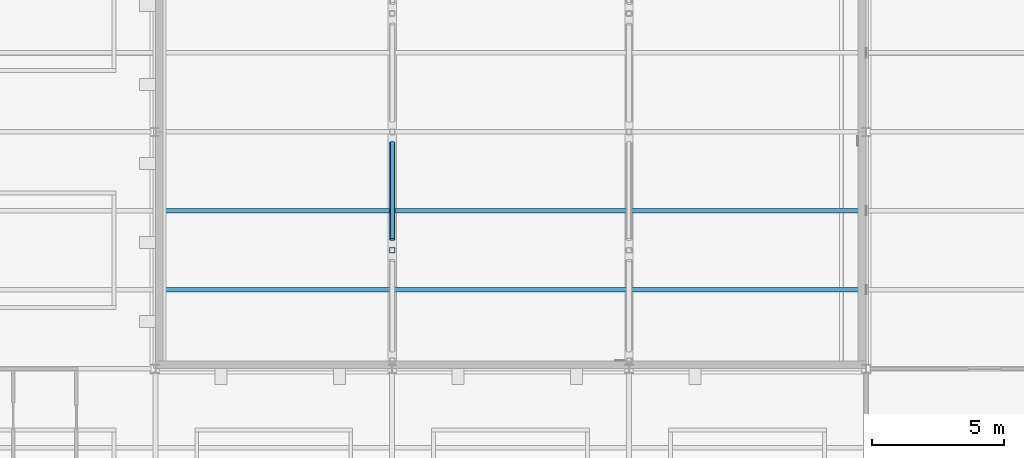
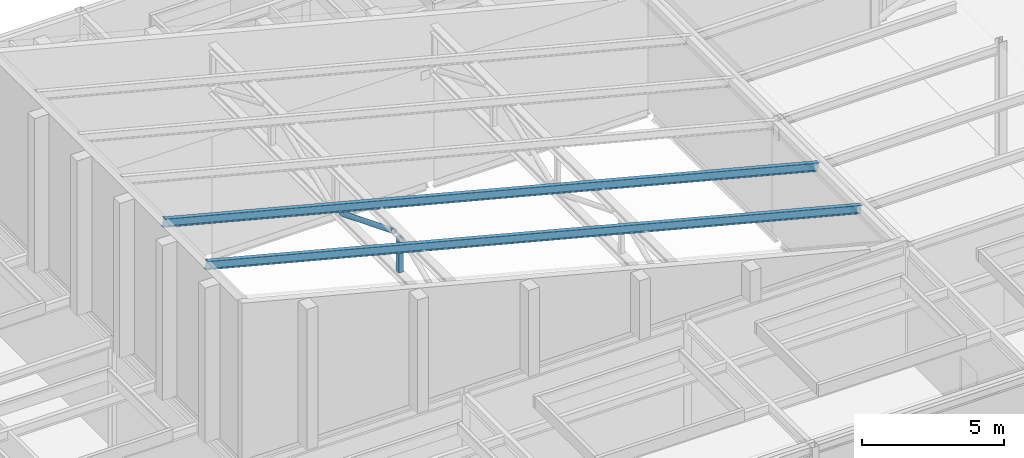
# One storey, part 36 of 115: 4 members.
"""IFC4 building model written with IfcOpenShell, lengths in metres."""

from ifc_helpers import new_model, si_unit, direction, frame, origin, origin_2d, place, context, subcontext, project, spatial, hollow_rectangle, hollow_circle, i_section, extrude, material, material_profile, profile_set, type_object, element, save


model = new_model("IFC4")

# Units and contexts
model_context = context("Model", 3, precision=1e-05, world=origin(), true_north=direction((0.0, 1.0)))
body_context = subcontext(model_context, "Body", "Model", "MODEL_VIEW")
ifc_project = project(units=[si_unit("LENGTHUNIT", "METRE"), si_unit("AREAUNIT", "SQUARE_METRE"), si_unit("VOLUMEUNIT", "CUBIC_METRE"), si_unit("PLANEANGLEUNIT", "RADIAN"), si_unit("MASSUNIT", "GRAM", prefix="KILO")], contexts=[model_context])

# Site, building, storey
site_placement = place(None, origin())
site = spatial("IfcSite", under=ifc_project, at=site_placement, CompositionType="ELEMENT")
building_placement = place(site_placement, origin())
building = spatial("IfcBuilding", under=site, at=building_placement, Name="Shorebreak Coast Museum", CompositionType="ELEMENT")
storey_placement = place(building_placement, frame((0.0, 0.0, 11.0)))
storey = spatial("IfcBuildingStorey", under=building, at=storey_placement, Name="L02", CompositionType="ELEMENT", Elevation=11.0)

# Members
ifc_material_1 = material(Name="Steel Grade C350L0", Category="steel")
ifc_material_profile_1 = material_profile(ifc_material_1, hollow_circle(Radius=0.109619140625, WallThickness=0.00830078125, at=origin_2d()), Name="219.1x8.2 CHS")
ifc_profile_set_1 = profile_set([ifc_material_profile_1], Name="Steel Grade C350L0")
member_type_1 = type_object("IfcMemberType", Name="Auditorium roof truss diagonal 219.1x8.2 CHS", PredefinedType="BRACE", material=ifc_profile_set_1)
member_1_placement = place(storey_placement, frame((27.0, 71.591064453125, 7.244873046875), z_axis=(0.0, -0.92849367282, 0.371348218701), x_axis=(1.0, 0.0, 0.0)))
element("IfcMember", 1, at=member_1_placement, inside=storey, type_object=member_type_1, Name="Auditorium roof truss TS1 diagonal D02", PredefinedType="BRACE", context=body_context, shape_type="SweptSolid", body=[
    extrude(hollow_circle(Radius=0.109619140625, WallThickness=0.00830078125, at=origin_2d()), origin(), (0.0, 0.0, 1.0), 3.9658203125),
])
ifc_material_2 = material(Name="Steel Grade C450L0", Category="steel")
ifc_material_profile_2 = material_profile(ifc_material_2, hollow_rectangle(XDim=0.199951171875, YDim=0.199951171875, WallThickness=0.009033203125, InnerFilletRadius=0.013427734375, OuterFilletRadius=0.0224609375, at=origin_2d()), Name="200x200x9.0 SHS")
ifc_profile_set_2 = profile_set([ifc_material_profile_2], Name="Steel Grade C450L0")
member_type_2 = type_object("IfcMemberType", Name="Auditorium roof truss strut 200x200x9.0 SHS", PredefinedType="STRUT", material=ifc_profile_set_2)
member_2_placement = place(storey_placement, frame((27.0, 67.5, 7.244873046875), z_axis=(0.0, 0.0, 1.0), x_axis=(1.0, 0.0, 0.0)))
element("IfcMember", 2, at=member_2_placement, inside=storey, type_object=member_type_2, Name="Auditorium roof truss TS1 strut V02", PredefinedType="STRUT", context=body_context, shape_type="SweptSolid", body=[
    extrude(hollow_rectangle(XDim=0.199951171875, YDim=0.199951171875, WallThickness=0.009033203125, InnerFilletRadius=0.013427734375, OuterFilletRadius=0.0224609375, at=origin_2d()), origin(), (0.0, 0.0, 1.0), 1.47265625),
])
ifc_material_3 = material(Name="Steel Grade 300", Category="steel")
ifc_material_profile_3 = material_profile(ifc_material_3, i_section(OverallWidth=0.1708984375, OverallDepth=0.35205078125, WebThickness=0.0068359375, FlangeThickness=0.009765625, FilletRadius=0.011474609375, at=origin_2d()), Name="360UB44.7")
ifc_profile_set_3 = profile_set([ifc_material_profile_3], Name="Steel Grade 300")
member_type_3 = type_object("IfcMemberType", Name="Shell raker beam 360UB44.7", PredefinedType="RAFTER", material=ifc_profile_set_3)
for number, where, z_axis, x_axis, name in (
    (3, (18.244140625, 66.0, 11.49658203125), (0.967996818278, 0.0, -0.250962466921), (0.0, 1.0, 0.0), "Shell raker beam 01"),
    (4, (18.244140625, 69.0, 11.49658203125), (0.967996818278, 0.0, -0.250962466921), (0.0, 1.0, 0.0), "Shell raker beam 02"),
):
    element("IfcMember", number, at=place(storey_placement, frame(where, z_axis=z_axis, x_axis=x_axis)), inside=storey, type_object=member_type_3, Name=name, PredefinedType="RAFTER", context=body_context, shape_type="SweptSolid", body=[
        extrude(i_section(OverallWidth=0.1708984375, OverallDepth=0.35205078125, WebThickness=0.0068359375, FlangeThickness=0.009765625, FilletRadius=0.011474609375, at=origin_2d()), origin(), (0.0, 0.0, 1.0), 27.49658203125),
    ])

save(model, "model.ifc")
